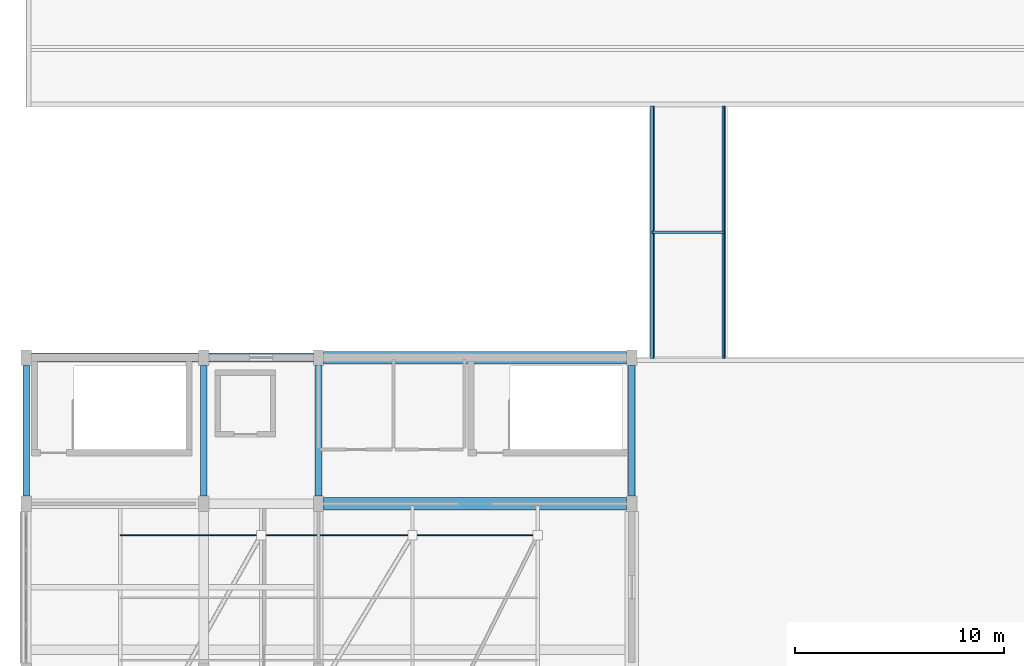
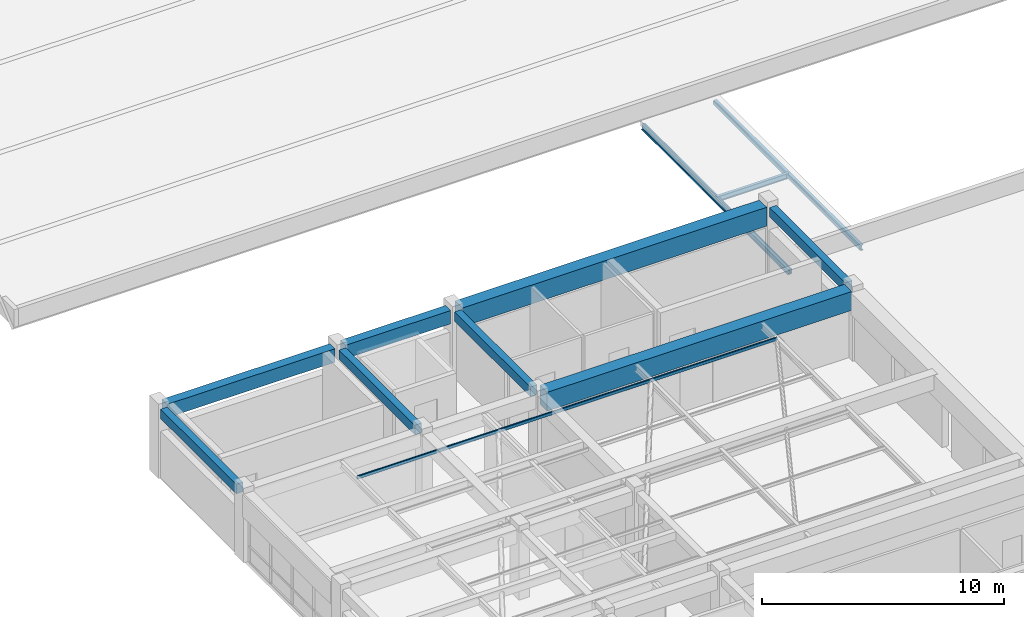
# One storey, part 3 of 42: 11 beams, 3 members.
"""IFC4 building model written with IfcOpenShell, lengths in metres."""

from ifc_helpers import new_model, si_unit, direction, frame, origin, origin_2d, place, context, subcontext, project, spatial, rectangle, hollow_rectangle, i_section, extrude, material, material_profile, profile_set, type_object, element, save


model = new_model("IFC4")

# Units and contexts
model_context = context("Model", 3, precision=1e-05, world=origin(), true_north=direction((0.0, 1.0)))
body_context = subcontext(model_context, "Body", "Model", "MODEL_VIEW")
ifc_project = project(units=[si_unit("LENGTHUNIT", "METRE"), si_unit("AREAUNIT", "SQUARE_METRE"), si_unit("VOLUMEUNIT", "CUBIC_METRE"), si_unit("PLANEANGLEUNIT", "RADIAN"), si_unit("MASSUNIT", "GRAM", prefix="KILO")], contexts=[model_context])

# Site, building, storey
site_placement = place(None, origin())
site = spatial("IfcSite", under=ifc_project, at=site_placement, CompositionType="ELEMENT")
building_placement = place(site_placement, origin())
building = spatial("IfcBuilding", under=site, at=building_placement, Name="Naurynzar Civic Courthouse", CompositionType="ELEMENT")
storey_placement = place(building_placement, frame((0.0, 0.0, 18.300048828125)))
storey = spatial("IfcBuildingStorey", under=building, at=storey_placement, Name="L05", CompositionType="ELEMENT", Elevation=18.300048828125)

# Beams
ifc_material_1 = material(Name="Concrete C40/50", Category="concrete")
ifc_material_profile_1 = material_profile(ifc_material_1, rectangle(XDim=0.60009765625, YDim=0.949951171875, at=origin_2d()), Name="PTB 600x950")
ifc_profile_set_1 = profile_set([ifc_material_profile_1], Name="Concrete C40/50")
beam_type_1 = type_object("IfcBeamType", Name="BM-PT-600x950", PredefinedType="T_BEAM", material=ifc_profile_set_1)
for number, where, z_axis, x_axis, name in (
    (1, (20.25, 25.0, 2.994873046875), (1.0, 0.0, 0.0), (0.0, 1.0, 0.0), "V4 beam X-1976 L05"),
    (2, (20.25, 32.0, 2.994873046875), (1.0, 0.0, 0.0), (0.0, 1.0, 0.0), "V4 beam X-1979 L05"),
):
    element("IfcBeam", number, at=place(storey_placement, frame(where, z_axis=z_axis, x_axis=x_axis)), inside=storey, type_object=beam_type_1, Name=name, PredefinedType="T_BEAM", context=body_context, shape_type="SweptSolid", body=[
        extrude(rectangle(XDim=0.60009765625, YDim=0.949951171875, at=origin_2d()), origin(), (0.0, 0.0, 1.0), 14.5),
    ])
ifc_material_2 = material(Name="Concrete C40/50", Category="concrete")
ifc_material_profile_2 = material_profile(ifc_material_2, rectangle(XDim=0.324951171875, YDim=0.47509765625, at=origin_2d()), Name="RCB 325x475")
ifc_profile_set_2 = profile_set([ifc_material_profile_2], Name="Concrete C40/50")
beam_type_2 = type_object("IfcBeamType", Name="BM-RC-325x475", PredefinedType="BEAM", material=ifc_profile_set_2)
for number, where, z_axis, x_axis, name in (
    (3, (6.0, 25.375, 3.232421875), (0.0, 1.0, 0.0), (-1.0, 0.0, 0.0), "V4 girder Y-1983 L05"),
    (4, (14.5, 25.375, 3.232421875), (0.0, 1.0, 0.0), (-1.0, 0.0, 0.0), "V4 girder Y-1987 L05"),
    (5, (20.0, 25.375, 3.232421875), (0.0, 1.0, 0.0), (-1.0, 0.0, 0.0), "V4 girder Y-1991 L05"),
    (6, (35.0, 25.375, 3.232421875), (0.0, 1.0, 0.0), (-1.0, 0.0, 0.0), "V4 girder Y-1994 L05"),
):
    element("IfcBeam", number, at=place(storey_placement, frame(where, z_axis=z_axis, x_axis=x_axis)), inside=storey, type_object=beam_type_2, Name=name, PredefinedType="BEAM", context=body_context, shape_type="SweptSolid", body=[
        extrude(rectangle(XDim=0.324951171875, YDim=0.47509765625, at=origin_2d()), origin(), (0.0, 0.0, 1.0), 6.25),
    ])
ifc_material_3 = material(Name="Concrete C40/50", Category="concrete")
ifc_material_profile_3 = material_profile(ifc_material_3, rectangle(XDim=0.425048828125, YDim=0.675048828125, at=origin_2d()), Name="RCB 425x675")
ifc_profile_set_3 = profile_set([ifc_material_profile_3], Name="Concrete C40/50")
beam_type_3 = type_object("IfcBeamType", Name="BM-RC-425x675", PredefinedType="SPANDREL", material=ifc_profile_set_3)
beam_1_placement = place(storey_placement, frame((6.25, 32.0, 3.132568359375), z_axis=(1.0, 0.0, 0.0), x_axis=(0.0, 1.0, 0.0)))
element("IfcBeam", 7, at=beam_1_placement, inside=storey, type_object=beam_type_3, Name="V4 beam X-1977 L05", PredefinedType="SPANDREL", context=body_context, shape_type="SweptSolid", body=[
    extrude(rectangle(XDim=0.425048828125, YDim=0.675048828125, at=origin_2d()), origin(), (0.0, 0.0, 1.0), 8.0),
])
beam_2_placement = place(storey_placement, frame((14.75, 32.0, 3.132568359375), z_axis=(1.0, 0.0, 0.0), x_axis=(0.0, 1.0, 0.0)))
element("IfcBeam", 8, at=beam_2_placement, inside=storey, type_object=beam_type_3, Name="V4 beam X-1978 L05", PredefinedType="SPANDREL", context=body_context, shape_type="SweptSolid", body=[
    extrude(rectangle(XDim=0.425048828125, YDim=0.675048828125, at=origin_2d()), origin(), (0.0, 0.0, 1.0), 5.0),
])
ifc_material_4 = material(Name="Steel S355", Category="steel")
ifc_material_profile_4 = material_profile(ifc_material_4, i_section(OverallWidth=0.135009765625, OverallDepth=0.27001953125, WebThickness=0.006591796875, FlangeThickness=0.01025390625, FilletRadius=0.014892578125, at=origin_2d()), Name="IPE 270")
ifc_profile_set_4 = profile_set([ifc_material_profile_4], Name="Steel S355")
beam_type_4 = type_object("IfcBeamType", Name="BM-STL-IPE270", PredefinedType="BEAM", material=ifc_profile_set_4)
for number, where, z_axis, x_axis, name in (
    (9, (35.969970703125, 31.949951171875, -0.364990234375), (0.0, 1.0, 0.0), (-1.0, 0.0, 0.0), "BR-W1 roof edge beam 1"),
    (10, (39.429931640625, 31.949951171875, -0.364990234375), (0.0, 1.0, 0.0), (-1.0, 0.0, 0.0), "BR-W1 roof edge beam 2"),
):
    element("IfcBeam", number, at=place(storey_placement, frame(where, z_axis=z_axis, x_axis=x_axis)), inside=storey, type_object=beam_type_4, Name=name, PredefinedType="BEAM", context=body_context, shape_type="SweptSolid", body=[
        extrude(i_section(OverallWidth=0.135009765625, OverallDepth=0.27001953125, WebThickness=0.006591796875, FlangeThickness=0.01025390625, FilletRadius=0.014892578125, at=origin_2d()), origin(), (0.0, 0.0, 1.0), 12.10009765625),
    ])
beam_3_placement = place(storey_placement, frame((35.969970703125, 38.0, -0.364990234375), z_axis=(1.0, 0.0, 0.0), x_axis=(0.0, 1.0, 0.0)))
element("IfcBeam", 11, at=beam_3_placement, inside=storey, type_object=beam_type_4, Name="BR-W1 roof cross-beam 1", PredefinedType="BEAM", context=body_context, shape_type="SweptSolid", body=[
    extrude(i_section(OverallWidth=0.135009765625, OverallDepth=0.27001953125, WebThickness=0.006591796875, FlangeThickness=0.01025390625, FilletRadius=0.014892578125, at=origin_2d()), origin(), (0.0, 0.0, 1.0), 3.4599609375),
])

# Members
ifc_material_5 = material(Name="Steel S355", Category="steel")
ifc_material_profile_5 = material_profile(ifc_material_5, hollow_rectangle(XDim=0.1201171875, YDim=0.199951171875, WallThickness=0.008056640625, InnerFilletRadius=0.008056640625, OuterFilletRadius=0.01611328125, at=origin_2d()), Name="RHS 200x120x8")
ifc_profile_set_5 = profile_set([ifc_material_profile_5], Name="Steel S355")
member_type_1 = type_object("IfcMemberType", Name="MEM-CHORD-RHS200", PredefinedType="CHORD", material=ifc_profile_set_5)
member_1_placement = place(storey_placement, frame((39.3798828125, 31.949951171875, -0.35498046875), z_axis=(0.0, 1.0, 0.0), x_axis=(-1.0, 0.0, 0.0)))
element("IfcMember", 12, at=member_1_placement, inside=storey, type_object=member_type_1, Name="BR-W1 roof chord 2", PredefinedType="CHORD", context=body_context, shape_type="SweptSolid", body=[
    extrude(hollow_rectangle(XDim=0.1201171875, YDim=0.199951171875, WallThickness=0.008056640625, InnerFilletRadius=0.008056640625, OuterFilletRadius=0.01611328125, at=origin_2d()), origin(), (0.0, 0.0, 1.0), 12.10009765625),
])
ifc_material_6 = material(Name="Steel S355", Category="steel")
ifc_material_profile_6 = material_profile(ifc_material_6, hollow_rectangle(XDim=0.14990234375, YDim=0.25, WallThickness=0.010009765625, InnerFilletRadius=0.010009765625, OuterFilletRadius=0.02001953125, at=origin_2d()), Name="RHS 250x150x10")
ifc_profile_set_6 = profile_set([ifc_material_profile_6], Name="Steel S355")
member_type_2 = type_object("IfcMemberType", Name="MEM-CHORD-RHS250", PredefinedType="CHORD", material=ifc_profile_set_6)
member_2_placement = place(storey_placement, frame((36.02001953125, 31.949951171875, -0.35498046875), z_axis=(0.0, 1.0, 0.0), x_axis=(-1.0, 0.0, 0.0)))
element("IfcMember", 13, at=member_2_placement, inside=storey, type_object=member_type_2, Name="BR-W1 roof chord 1", PredefinedType="CHORD", context=body_context, shape_type="SweptSolid", body=[
    extrude(hollow_rectangle(XDim=0.14990234375, YDim=0.25, WallThickness=0.010009765625, InnerFilletRadius=0.010009765625, OuterFilletRadius=0.02001953125, at=origin_2d()), origin(), (0.0, 0.0, 1.0), 12.10009765625),
])
ifc_material_7 = material(Name="Steel S355", Category="steel")
ifc_material_profile_7 = material_profile(ifc_material_7, hollow_rectangle(XDim=0.080078125, YDim=0.159912109375, WallThickness=0.008056640625, InnerFilletRadius=0.008056640625, OuterFilletRadius=0.01611328125, at=origin_2d()), Name="RHS 160x80x8")
ifc_profile_set_7 = profile_set([ifc_material_profile_7], Name="Steel S355")
member_type_3 = type_object("IfcMemberType", Name="MEM-PURLIN-RHS160", PredefinedType="PURLIN", material=ifc_profile_set_7)
member_3_placement = place(storey_placement, frame((10.5, 23.5, 3.324951171875), z_axis=(1.0, 0.0, 0.0), x_axis=(0.0, 1.0, 0.0)))
element("IfcMember", 14, at=member_3_placement, inside=storey, type_object=member_type_3, Name="Public Hall skylight purlin 5", PredefinedType="PURLIN", context=body_context, shape_type="SweptSolid", body=[
    extrude(hollow_rectangle(XDim=0.080078125, YDim=0.159912109375, WallThickness=0.008056640625, InnerFilletRadius=0.008056640625, OuterFilletRadius=0.01611328125, at=origin_2d()), origin(), (0.0, 0.0, 1.0), 20.0),
])

save(model, "model.ifc")
